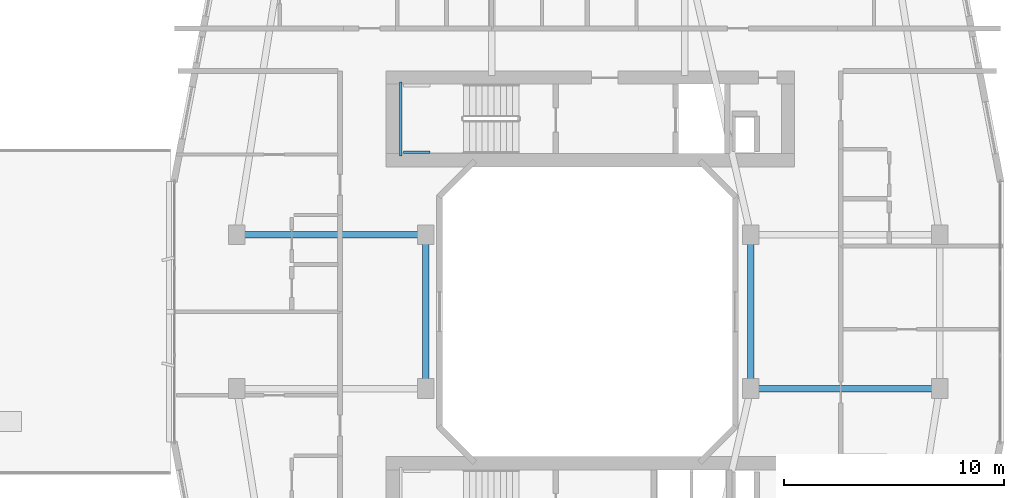
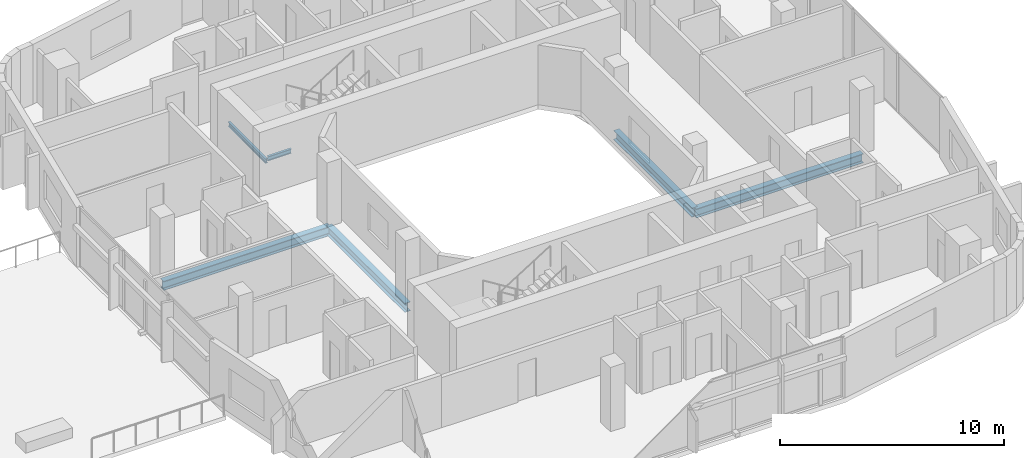
# One storey, part 8 of 25: 6 beams.
"""IFC4 building model written with IfcOpenShell, lengths in metres."""

from ifc_helpers import new_model, si_unit, derived_unit, direction, frame, origin, origin_2d, place, context, subcontext, project, spatial, i_section, extrude, material, material_profile, profile_set, type_object, element, save


model = new_model("IFC4")

# Units and contexts
model_context = context("Model", 3, precision=1e-05, world=origin(), true_north=direction((0.0, 1.0)))
body_context = subcontext(model_context, "Body", "Model", "MODEL_VIEW")
ifc_project = project(units=[si_unit("LENGTHUNIT", "METRE"), si_unit("AREAUNIT", "SQUARE_METRE"), si_unit("VOLUMEUNIT", "CUBIC_METRE"), si_unit("PLANEANGLEUNIT", "RADIAN"), si_unit("MASSUNIT", "GRAM", prefix="KILO"), derived_unit("THERMALTRANSMITTANCEUNIT", [(si_unit("POWERUNIT", "WATT"), 1), (si_unit("LENGTHUNIT", "METRE"), -2), (si_unit("THERMODYNAMICTEMPERATUREUNIT", "KELVIN"), -1)])], contexts=[model_context])

# Site, building, storey
site_placement = place(None, origin())
site = spatial("IfcSite", under=ifc_project, at=site_placement, CompositionType="ELEMENT")
building_placement = place(site_placement, origin())
building = spatial("IfcBuilding", under=site, at=building_placement, Name="Kivonza Crest Hotel", CompositionType="ELEMENT")
storey_placement = place(building_placement, frame((0.0, 0.0, 24.0)))
storey = spatial("IfcBuildingStorey", under=building, at=storey_placement, Name="L05", CompositionType="ELEMENT", Elevation=24.0)

# Beams
ifc_material = material(Name="Steel S355", Category="steel")
ifc_material_profile_1 = material_profile(ifc_material, i_section(OverallWidth=0.300048828125, OverallDepth=0.5, WebThickness=0.014404296875, FlangeThickness=0.028076171875, FilletRadius=0.027099609375, at=origin_2d()), Name="HEB 500")
ifc_profile_set_1 = profile_set([ifc_material_profile_1], Name="Steel S355")
beam_type_1 = type_object("IfcBeamType", Name="BM-HEB500", PredefinedType="BEAM", material=ifc_profile_set_1)
beam_1_placement = place(storey_placement, frame((61.0, 28.5, -0.5), z_axis=(1.0, 0.0, 0.0), x_axis=(0.0, 1.0, 0.0)))
element("IfcBeam", 1, at=beam_1_placement, inside=storey, type_object=beam_type_1, Name="Companion Tower T2 L05 girder W2-WL2", PredefinedType="BEAM", context=body_context, shape_type="SweptSolid", body=[
    extrude(i_section(OverallWidth=0.300048828125, OverallDepth=0.5, WebThickness=0.014404296875, FlangeThickness=0.028076171875, FilletRadius=0.027099609375, at=origin_2d()), origin(), (0.0, 0.0, 1.0), 8.60009765625),
])
beam_2_placement = place(storey_placement, frame((69.60009765625, 21.5, -0.5), z_axis=(0.0, 1.0, 0.0), x_axis=(-1.0, 0.0, 0.0)))
element("IfcBeam", 2, at=beam_2_placement, inside=storey, type_object=beam_type_1, Name="Companion Tower T2 L05 girder WL1-WL2", PredefinedType="BEAM", context=body_context, shape_type="SweptSolid", body=[
    extrude(i_section(OverallWidth=0.300048828125, OverallDepth=0.5, WebThickness=0.014404296875, FlangeThickness=0.028076171875, FilletRadius=0.027099609375, at=origin_2d()), origin(), (0.0, 0.0, 1.0), 7.0),
])
beam_3_placement = place(storey_placement, frame((84.39990234375, 21.5, -0.5), z_axis=(1.0, 0.0, 0.0), x_axis=(0.0, 1.0, 0.0)))
element("IfcBeam", 3, at=beam_3_placement, inside=storey, type_object=beam_type_1, Name="Companion Tower T2 L05 girder WR1-E1", PredefinedType="BEAM", context=body_context, shape_type="SweptSolid", body=[
    extrude(i_section(OverallWidth=0.300048828125, OverallDepth=0.5, WebThickness=0.014404296875, FlangeThickness=0.028076171875, FilletRadius=0.027099609375, at=origin_2d()), origin(), (0.0, 0.0, 1.0), 8.60009765625),
])
beam_4_placement = place(storey_placement, frame((84.39990234375, 21.5, -0.5), z_axis=(0.0, 1.0, 0.0), x_axis=(-1.0, 0.0, 0.0)))
element("IfcBeam", 4, at=beam_4_placement, inside=storey, type_object=beam_type_1, Name="Companion Tower T2 L05 girder WR1-WR2", PredefinedType="BEAM", context=body_context, shape_type="SweptSolid", body=[
    extrude(i_section(OverallWidth=0.300048828125, OverallDepth=0.5, WebThickness=0.014404296875, FlangeThickness=0.028076171875, FilletRadius=0.027099609375, at=origin_2d()), origin(), (0.0, 0.0, 1.0), 7.0),
])
ifc_material_profile_2 = material_profile(ifc_material, i_section(OverallWidth=0.1201171875, OverallDepth=0.239990234375, WebThickness=0.006103515625, FlangeThickness=0.009765625, FilletRadius=0.014892578125, at=origin_2d()), Name="IPE 240")
ifc_profile_set_2 = profile_set([ifc_material_profile_2], Name="Steel S355")
beam_type_2 = type_object("IfcBeamType", Name="BM-LLDG-240", PredefinedType="BEAM", material=ifc_profile_set_2)
beam_5_placement = place(storey_placement, frame((68.4599609375, 32.10009765625, 1.429931640625), z_axis=(0.0, 1.0, 0.0), x_axis=(-1.0, 0.0, 0.0)))
element("IfcBeam", 5, at=beam_5_placement, inside=storey, type_object=beam_type_2, Name="Stair ST-T2-N L05 West landing corbel", PredefinedType="BEAM", context=body_context, shape_type="SweptSolid", body=[
    extrude(i_section(OverallWidth=0.1201171875, OverallDepth=0.239990234375, WebThickness=0.006103515625, FlangeThickness=0.009765625, FilletRadius=0.014892578125, at=origin_2d()), origin(), (0.0, 0.0, 1.0), 3.35986328125),
])
beam_6_placement = place(storey_placement, frame((68.590087890625, 32.260009765625, 1.429931640625), z_axis=(1.0, 0.0, 0.0), x_axis=(0.0, 1.0, 0.0)))
element("IfcBeam", 6, at=beam_6_placement, inside=storey, type_object=beam_type_2, Name="Stair ST-T2-N L05 South landing corbel", PredefinedType="BEAM", context=body_context, shape_type="SweptSolid", body=[
    extrude(i_section(OverallWidth=0.1201171875, OverallDepth=0.239990234375, WebThickness=0.006103515625, FlangeThickness=0.009765625, FilletRadius=0.014892578125, at=origin_2d()), origin(), (0.0, 0.0, 1.0), 1.2099609375),
])

save(model, "model.ifc")
